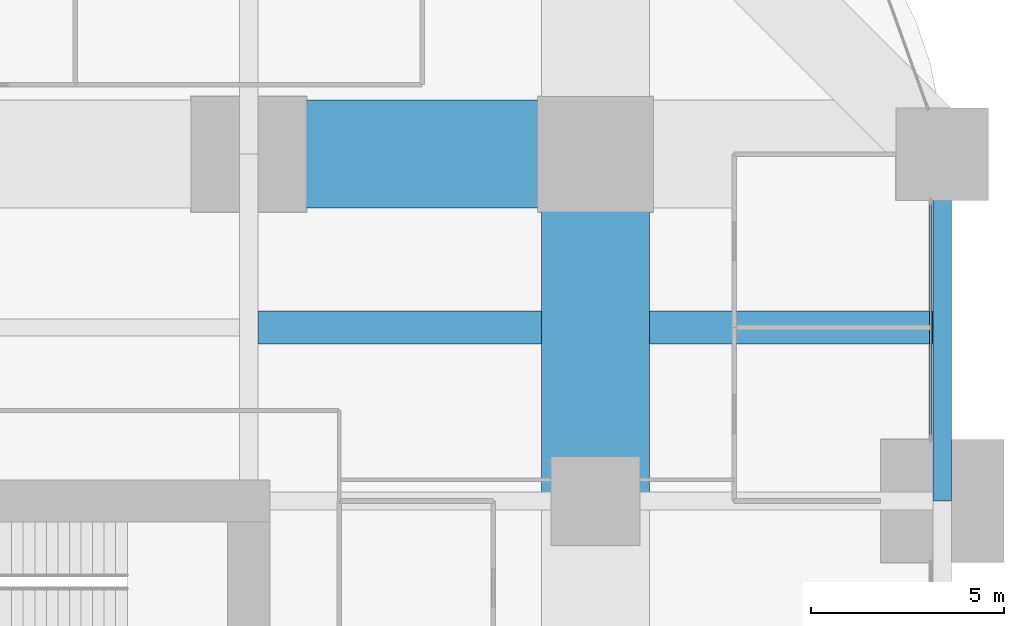
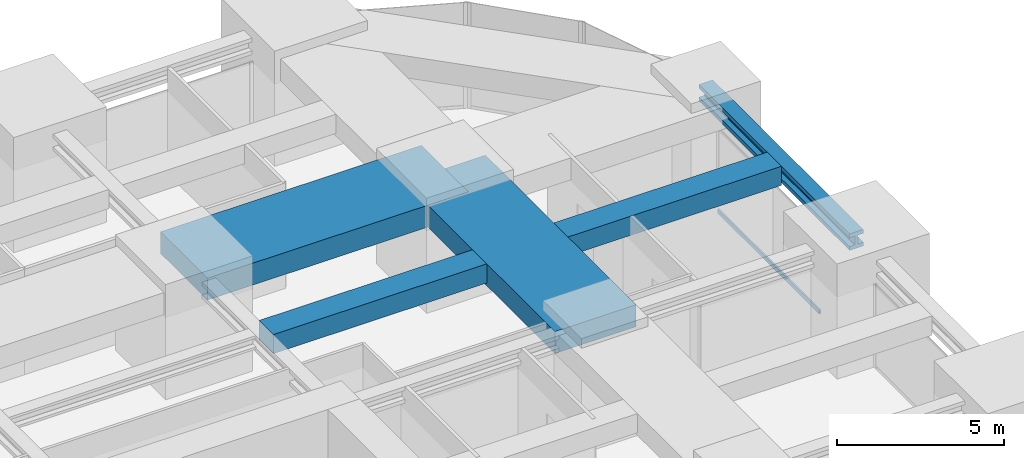
# One storey, part 32 of 42: 5 beams, 1 member, 1 element without a shape of its own.
"""IFC4 building model written with IfcOpenShell, lengths in metres."""

from ifc_helpers import new_model, si_unit, direction, frame, origin, origin_2d, place, context, subcontext, project, spatial, rectangle, hollow_rectangle, i_section, extrude, material, material_profile, profile_set, type_object, element, aggregate, save


model = new_model("IFC4")

# Units and contexts
model_context = context("Model", 3, precision=1e-05, world=origin(), true_north=direction((0.0, 1.0)))
body_context = subcontext(model_context, "Body", "Model", "MODEL_VIEW")
ifc_project = project(units=[si_unit("LENGTHUNIT", "METRE"), si_unit("AREAUNIT", "SQUARE_METRE"), si_unit("VOLUMEUNIT", "CUBIC_METRE"), si_unit("PLANEANGLEUNIT", "RADIAN"), si_unit("MASSUNIT", "GRAM", prefix="KILO")], contexts=[model_context])

# Site, building, storey
site_placement = place(None, origin())
site = spatial("IfcSite", under=ifc_project, at=site_placement, CompositionType="ELEMENT")
building_placement = place(site_placement, origin())
building = spatial("IfcBuilding", under=site, at=building_placement, Name="Zorevar Civic Tower", CompositionType="ELEMENT")
storey_placement = place(building_placement, frame((0.0, 0.0, 75.800048828125)))
storey = spatial("IfcBuildingStorey", under=building, at=storey_placement, Name="L18", CompositionType="ELEMENT", Elevation=75.800048828125)

# Beams
ifc_material_1 = material(Name="Concrete C50/60", Category="concrete")
ifc_material_profile_1 = material_profile(ifc_material_1, rectangle(XDim=2.800048828125, YDim=0.800048828125, at=origin_2d()), Name="RC 2800x800")
ifc_profile_set_1 = profile_set([ifc_material_profile_1], Name="Concrete C50/60")
beam_type_1 = type_object("IfcBeamType", Name="Beam RC 2800x800", PredefinedType="BEAM", material=ifc_profile_set_1)
for number, where, z_axis, x_axis, name in (
    (1, (45.0, 45.0, 3.449951171875), (1.0, 0.0, 0.0), (0.0, 1.0, 0.0), "Girder L19"),
    (2, (54.0, 36.0, 3.449951171875), (0.0, 1.0, 0.0), (-1.0, 0.0, 0.0), "Girder L19"),
):
    element("IfcBeam", number, at=place(storey_placement, frame(where, z_axis=z_axis, x_axis=x_axis)), inside=storey, type_object=beam_type_1, Name=name, PredefinedType="BEAM", context=body_context, shape_type="SweptSolid", body=[
        extrude(rectangle(XDim=2.800048828125, YDim=0.800048828125, at=origin_2d()), origin(), (0.0, 0.0, 1.0), 9.0),
    ])
ifc_material_2 = material(Name="Concrete C50/60", Category="concrete")
ifc_material_profile_2 = material_profile(ifc_material_2, rectangle(XDim=0.85009765625, YDim=0.699951171875, at=origin_2d()), Name="RC 850x700")
ifc_profile_set_2 = profile_set([ifc_material_profile_2], Name="Concrete C50/60")
beam_type_2 = type_object("IfcBeamType", Name="Beam RC 850x700", PredefinedType="BEAM", material=ifc_profile_set_2)
for number, where, z_axis, x_axis, name in (
    (3, (45.238037109375, 40.5, 3.5), (1.0, 0.0, 0.0), (0.0, 1.0, 0.0), "Secondary beam L19"),
    (4, (55.39990234375, 40.5, 3.5), (1.0, 0.0, 0.0), (0.0, 1.0, 0.0), "Secondary beam L19"),
):
    element("IfcBeam", number, at=place(storey_placement, frame(where, z_axis=z_axis, x_axis=x_axis)), inside=storey, type_object=beam_type_2, Name=name, PredefinedType="BEAM", context=body_context, shape_type="SweptSolid", body=[
        extrude(rectangle(XDim=0.85009765625, YDim=0.699951171875, at=origin_2d()), origin(), (0.0, 0.0, 1.0), 7.362060546875),
    ])
ifc_material_3 = material(Name="Steel S460M (HISTAR 460)", Category="steel")
ifc_material_profile_3 = material_profile(ifc_material_3, i_section(OverallWidth=0.47607421875, OverallDepth=0.60009765625, WebThickness=0.10009765625, FlangeThickness=0.139892578125, FilletRadius=0.014892578125, at=origin_2d()), Name="HD 400x1299")
ifc_profile_set_3 = profile_set([ifc_material_profile_3], Name="Steel S460M (HISTAR 460)")
beam_type_3 = type_object("IfcBeamType", Name="Belt chord HD 400x1299", PredefinedType="BEAM", material=ifc_profile_set_3)
beam_placement = place(storey_placement, frame((63.0, 36.0, 3.550048828125), z_axis=(0.0, 1.0, 0.0), x_axis=(-1.0, 0.0, 0.0)))
element("IfcBeam", 5, at=beam_placement, inside=storey, type_object=beam_type_3, Name="Belt chord L19", PredefinedType="BEAM", context=body_context, shape_type="SweptSolid", body=[
    extrude(i_section(OverallWidth=0.47607421875, OverallDepth=0.60009765625, WebThickness=0.10009765625, FlangeThickness=0.139892578125, FilletRadius=0.014892578125, at=origin_2d()), origin(), (0.0, 0.0, 1.0), 9.0),
])

# Curtain wall, member
ifc_material_4 = material(Name="Dark grey solar-control glass in black aluminium frame", Category="aluminium")
curtain_wall_type = type_object("IfcCurtainWallType", Name="Curtain wall CW2 low zone", PredefinedType="NOTDEFINED", material=ifc_material_4)
curtain_wall_placement = place(storey_placement, origin())
curtain_wall = element("IfcCurtainWall", 6, at=curtain_wall_placement, inside=storey, type_object=curtain_wall_type, Name="CW2 L18", PredefinedType="NOTDEFINED")
ifc_material_5 = material(Name="Aluminium, black anodised", Category="aluminium")
ifc_material_profile_4 = material_profile(ifc_material_5, hollow_rectangle(XDim=0.06005859375, YDim=0.14990234375, WallThickness=0.00390625, at=origin_2d()), Name="AL 150x60x4")
ifc_profile_set_4 = profile_set([ifc_material_profile_4], Name="Aluminium, black anodised")
member_type = type_object("IfcMemberType", Name="CW2 transom AL 150x60x4", PredefinedType="USERDEFINED", material=ifc_profile_set_4)
member_placement = place(storey_placement, frame((62.699951171875, 37.659912109375, 0.030029296875), z_axis=(0.0, 1.0, 0.0), x_axis=(-1.0, 0.0, 0.0)))
member = element("IfcMember", 7, at=member_placement, type_object=member_type, Name="CW2 sill transom", ObjectType="TRANSOM", PredefinedType="USERDEFINED", context=body_context, shape_type="SweptSolid", body=[
    extrude(hollow_rectangle(XDim=0.06005859375, YDim=0.14990234375, WallThickness=0.00390625, at=origin_2d()), origin(), (0.0, 0.0, 1.0), 6.080078125),
])
aggregate(curtain_wall, [member])

save(model, "model.ifc")
